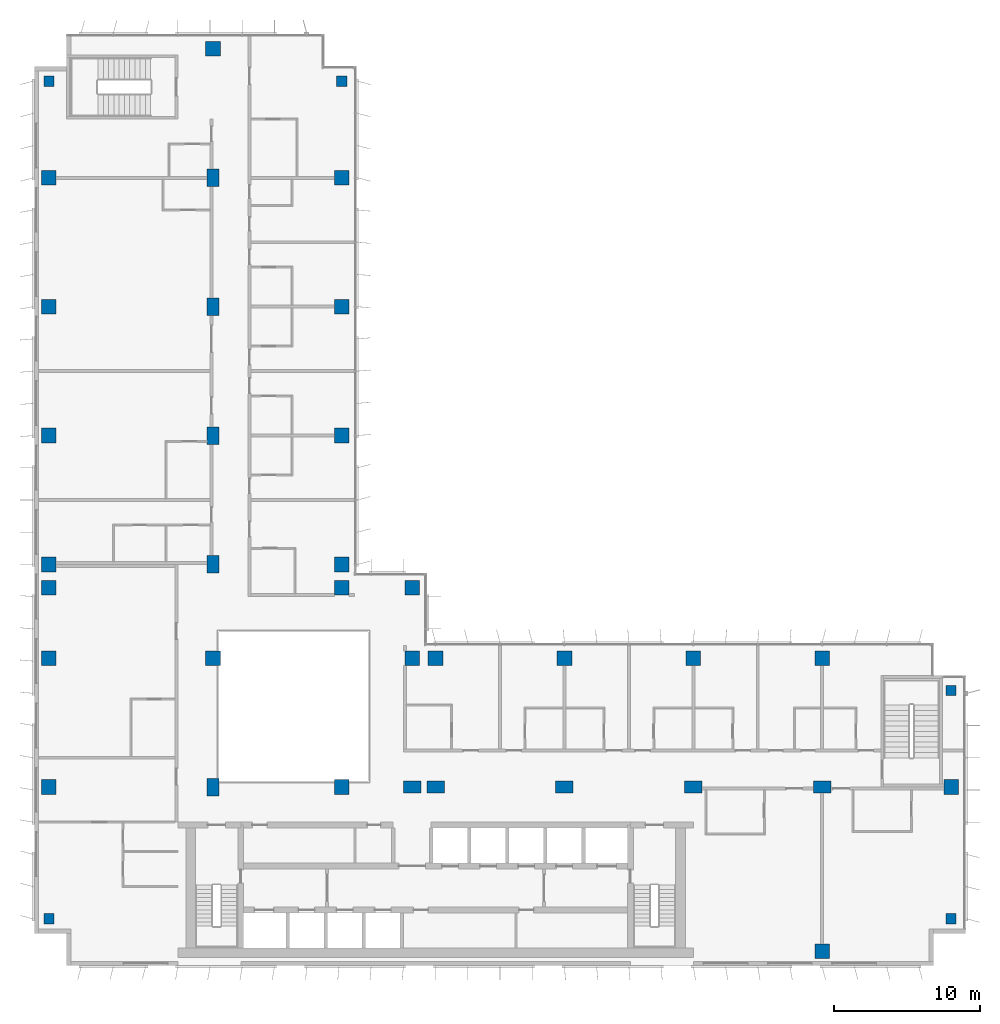
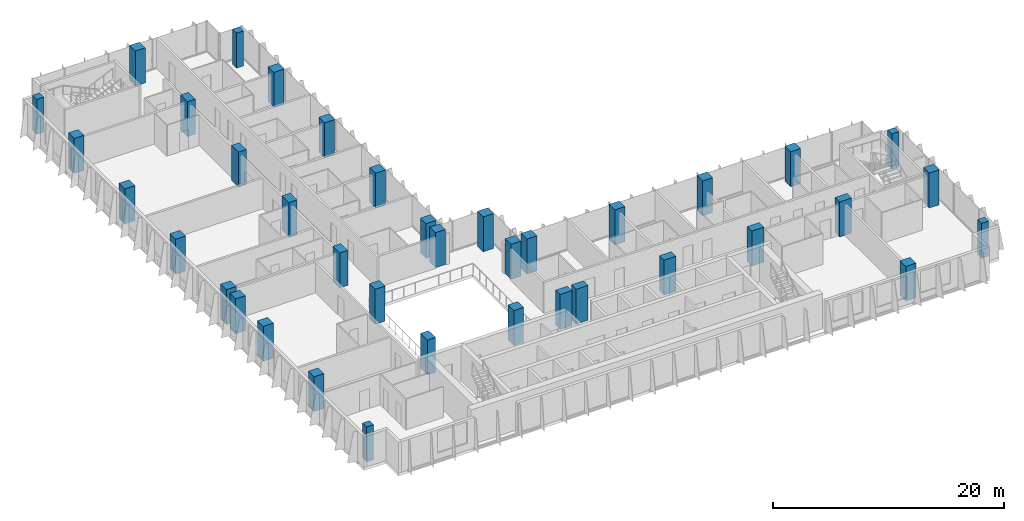
# One storey, part 1 of 21: 38 columns.
"""IFC4 building model written with IfcOpenShell, lengths in metres."""

from ifc_helpers import new_model, si_unit, direction, frame, origin, origin_2d, place, context, subcontext, project, spatial, rectangle, extrude, material, material_profile, profile_set, type_object, element, save


model = new_model("IFC4")

# Units and contexts
model_context = context("Model", 3, precision=1e-05, world=origin(), true_north=direction((0.0, 1.0)))
body_context = subcontext(model_context, "Body", "Model", "MODEL_VIEW")
ifc_project = project(units=[si_unit("LENGTHUNIT", "METRE"), si_unit("AREAUNIT", "SQUARE_METRE"), si_unit("VOLUMEUNIT", "CUBIC_METRE"), si_unit("PLANEANGLEUNIT", "RADIAN"), si_unit("MASSUNIT", "GRAM", prefix="KILO")], contexts=[model_context])

# Site, building, storey
site_placement = place(None, origin())
site = spatial("IfcSite", under=ifc_project, at=site_placement, CompositionType="ELEMENT")
building_placement = place(site_placement, origin())
building = spatial("IfcBuilding", under=site, at=building_placement, Name="Kemantara Hotel Tower", CompositionType="ELEMENT")
storey_placement = place(building_placement, frame((0.0, 0.0, 219.10009765625)))
storey = spatial("IfcBuildingStorey", under=building, at=storey_placement, Name="L54", CompositionType="ELEMENT", Elevation=219.10009765625)

# Columns
ifc_material = material(Name="Concrete fc 60 MPa", Category="concrete")
ifc_material_profile_1 = material_profile(ifc_material, rectangle(XDim=1.0, YDim=1.0, at=origin_2d()), Name="RC 1000X1000")
ifc_profile_set_1 = profile_set([ifc_material_profile_1], Name="Concrete fc 60 MPa")
column_type_1 = type_object("IfcColumnType", Name="RC COLUMN 1000X1000 FC60", PredefinedType="COLUMN", material=ifc_profile_set_1)
for number, where, z_axis, x_axis, name in (
    (1, (1.0, 12.199951171875, 0.0), (0.0, 0.0, 1.0), (1.0, 0.0, 0.0), "COLUMN 1/BA L54"),
    (2, (1.0, 21.0, 0.0), (0.0, 0.0, 1.0), (1.0, 0.0, 0.0), "COLUMN 1/C L54"),
    (3, (1.0, 25.800048828125, 0.0), (0.0, 0.0, 1.0), (1.0, 0.0, 0.0), "COLUMN 1/CA L54"),
    (4, (1.0, 27.39990234375, 0.0), (0.0, 0.0, 1.0), (1.0, 0.0, 0.0), "COLUMN 1/D L54"),
    (5, (1.0, 36.199951171875, 0.0), (0.0, 0.0, 1.0), (1.0, 0.0, 0.0), "COLUMN 1/E L54"),
    (6, (1.0, 45.0, 0.0), (0.0, 0.0, 1.0), (1.0, 0.0, 0.0), "COLUMN 1/F L54"),
    (7, (1.0, 53.800048828125, 0.0), (0.0, 0.0, 1.0), (1.0, 0.0, 0.0), "COLUMN 1/G L54"),
    (8, (12.199951171875, 21.0, 0.0), (0.0, 0.0, 1.0), (1.0, 0.0, 0.0), "COLUMN 2A/C L54"),
    (9, (12.199951171875, 62.60009765625, 0.0), (0.0, 0.0, 1.0), (1.0, 0.0, 0.0), "COLUMN 2A/H L54"),
    (10, (21.0, 12.199951171875, 0.0), (0.0, 0.0, 1.0), (1.0, 0.0, 0.0), "COLUMN 3/BA L54"),
    (11, (21.0, 25.800048828125, 0.0), (0.0, 0.0, 1.0), (1.0, 0.0, 0.0), "COLUMN 3/CA L54"),
    (12, (21.0, 27.39990234375, 0.0), (0.0, 0.0, 1.0), (1.0, 0.0, 0.0), "COLUMN 3/D L54"),
    (13, (21.0, 36.199951171875, 0.0), (0.0, 0.0, 1.0), (1.0, 0.0, 0.0), "COLUMN 3/E L54"),
    (14, (21.0, 45.0, 0.0), (0.0, 0.0, 1.0), (1.0, 0.0, 0.0), "COLUMN 3/F L54"),
    (15, (21.0, 53.800048828125, 0.0), (0.0, 0.0, 1.0), (1.0, 0.0, 0.0), "COLUMN 3/G L54"),
    (16, (25.800048828125, 21.0, 0.0), (0.0, 0.0, 1.0), (1.0, 0.0, 0.0), "COLUMN 3A/C L54"),
    (17, (25.800048828125, 25.800048828125, 0.0), (0.0, 0.0, 1.0), (1.0, 0.0, 0.0), "COLUMN 3A/CA L54"),
    (18, (27.39990234375, 21.0, 0.0), (0.0, 0.0, 1.0), (1.0, 0.0, 0.0), "COLUMN 4/C L54"),
    (19, (36.199951171875, 21.0, 0.0), (0.0, 0.0, 1.0), (1.0, 0.0, 0.0), "COLUMN 5/C L54"),
    (20, (45.0, 21.0, 0.0), (0.0, 0.0, 1.0), (1.0, 0.0, 0.0), "COLUMN 6/C L54"),
    (21, (53.800048828125, 1.0, 0.0), (0.0, 0.0, 1.0), (1.0, 0.0, 0.0), "COLUMN 7/A L54"),
    (22, (53.800048828125, 21.0, 0.0), (0.0, 0.0, 1.0), (1.0, 0.0, 0.0), "COLUMN 7/C L54"),
    (23, (62.60009765625, 12.199951171875, 0.0), (0.0, 0.0, 1.0), (1.0, 0.0, 0.0), "COLUMN 8/BA L54"),
):
    element("IfcColumn", number, at=place(storey_placement, frame(where, z_axis=z_axis, x_axis=x_axis)), inside=storey, type_object=column_type_1, Name=name, PredefinedType="COLUMN", context=body_context, shape_type="SweptSolid", body=[
        extrude(rectangle(XDim=1.0, YDim=1.0, at=origin_2d()), origin(), (0.0, 0.0, 1.0), 3.699951171875),
    ])
ifc_material_profile_2 = material_profile(ifc_material, rectangle(XDim=1.199951171875, YDim=0.800048828125, at=origin_2d()), Name="RC 1200X800")
ifc_profile_set_2 = profile_set([ifc_material_profile_2], Name="Concrete fc 60 MPa")
column_type_2 = type_object("IfcColumnType", Name="RC COLUMN 1200X800 FC60", PredefinedType="COLUMN", material=ifc_profile_set_2)
for number, where, z_axis, x_axis, name in (
    (24, (12.199951171875, 12.199951171875, 0.0), (0.0, 0.0, 1.0), (0.0, 1.0, 0.0), "COLUMN 2A/BA L54"),
    (25, (12.199951171875, 27.39990234375, 0.0), (0.0, 0.0, 1.0), (0.0, 1.0, 0.0), "COLUMN 2A/D L54"),
    (26, (12.199951171875, 36.199951171875, 0.0), (0.0, 0.0, 1.0), (0.0, 1.0, 0.0), "COLUMN 2A/E L54"),
    (27, (12.199951171875, 45.0, 0.0), (0.0, 0.0, 1.0), (0.0, 1.0, 0.0), "COLUMN 2A/F L54"),
    (28, (12.199951171875, 53.800048828125, 0.0), (0.0, 0.0, 1.0), (0.0, 1.0, 0.0), "COLUMN 2A/G L54"),
    (29, (25.800048828125, 12.199951171875, 0.0), (0.0, 0.0, 1.0), (1.0, 0.0, 0.0), "COLUMN 3A/BA L54"),
    (30, (27.39990234375, 12.199951171875, 0.0), (0.0, 0.0, 1.0), (1.0, 0.0, 0.0), "COLUMN 4/BA L54"),
    (31, (36.199951171875, 12.199951171875, 0.0), (0.0, 0.0, 1.0), (1.0, 0.0, 0.0), "COLUMN 5/BA L54"),
    (32, (45.0, 12.199951171875, 0.0), (0.0, 0.0, 1.0), (1.0, 0.0, 0.0), "COLUMN 6/BA L54"),
    (33, (53.800048828125, 12.199951171875, 0.0), (0.0, 0.0, 1.0), (1.0, 0.0, 0.0), "COLUMN 7/BA L54"),
):
    element("IfcColumn", number, at=place(storey_placement, frame(where, z_axis=z_axis, x_axis=x_axis)), inside=storey, type_object=column_type_2, Name=name, PredefinedType="COLUMN", context=body_context, shape_type="SweptSolid", body=[
        extrude(rectangle(XDim=1.199951171875, YDim=0.800048828125, at=origin_2d()), origin(), (0.0, 0.0, 1.0), 3.699951171875),
    ])
ifc_material_profile_3 = material_profile(ifc_material, rectangle(XDim=0.699951171875, YDim=0.699951171875, at=origin_2d()), Name="RC 700X700")
ifc_profile_set_3 = profile_set([ifc_material_profile_3], Name="Concrete fc 60 MPa")
column_type_3 = type_object("IfcColumnType", Name="RC COLUMN 700X700 FC60", PredefinedType="COLUMN", material=ifc_profile_set_3)
for number, where, z_axis, x_axis, name in (
    (34, (1.0, 3.199951171875, 0.0), (0.0, 0.0, 1.0), (1.0, 0.0, 0.0), "COLUMN notch corner L54"),
    (35, (1.0, 60.39990234375, 0.0), (0.0, 0.0, 1.0), (1.0, 0.0, 0.0), "COLUMN notch corner L54"),
    (36, (21.0, 60.39990234375, 0.0), (0.0, 0.0, 1.0), (1.0, 0.0, 0.0), "COLUMN notch corner L54"),
    (37, (62.60009765625, 3.199951171875, 0.0), (0.0, 0.0, 1.0), (1.0, 0.0, 0.0), "COLUMN notch corner L54"),
    (38, (62.60009765625, 18.800048828125, 0.0), (0.0, 0.0, 1.0), (1.0, 0.0, 0.0), "COLUMN notch corner L54"),
):
    element("IfcColumn", number, at=place(storey_placement, frame(where, z_axis=z_axis, x_axis=x_axis)), inside=storey, type_object=column_type_3, Name=name, PredefinedType="COLUMN", context=body_context, shape_type="SweptSolid", body=[
        extrude(rectangle(XDim=0.699951171875, YDim=0.699951171875, at=origin_2d()), origin(), (0.0, 0.0, 1.0), 3.699951171875),
    ])

save(model, "model.ifc")
